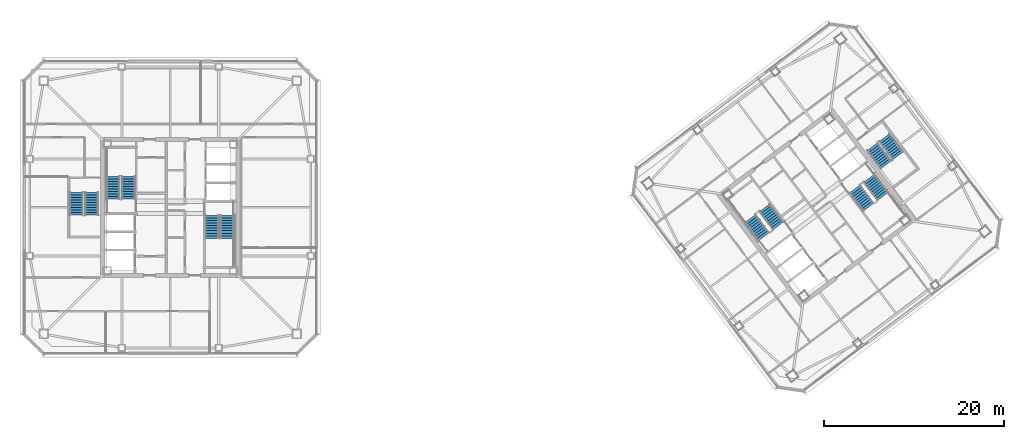
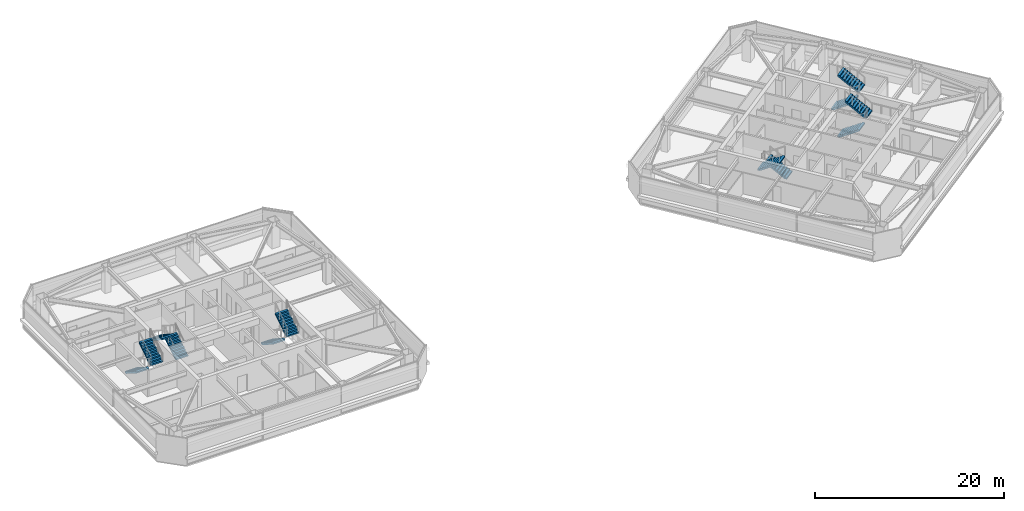
# One storey, part 33 of 39: 12 stair flights, 6 elements without a shape of their own.
"""IFC4 building model written with IfcOpenShell, lengths in metres."""

from ifc_helpers import new_model, si_unit, direction, frame, origin, place, context, subcontext, project, spatial, polyline, outline, extrude, material, type_object, element, aggregate, save


model = new_model("IFC4")

# Units and contexts
model_context = context("Model", 3, precision=1e-05, world=origin(), true_north=direction((0.0, 1.0)))
body_context = subcontext(model_context, "Body", "Model", "MODEL_VIEW")
ifc_project = project(units=[si_unit("LENGTHUNIT", "METRE"), si_unit("AREAUNIT", "SQUARE_METRE"), si_unit("VOLUMEUNIT", "CUBIC_METRE"), si_unit("PLANEANGLEUNIT", "RADIAN"), si_unit("MASSUNIT", "GRAM", prefix="KILO")], contexts=[model_context])

# Site, building, storey
site_placement = place(None, origin())
site = spatial("IfcSite", under=ifc_project, at=site_placement, CompositionType="ELEMENT")
building_placement = place(site_placement, origin())
building = spatial("IfcBuilding", under=site, at=building_placement, Name="Tashvorn Skyway Center", CompositionType="ELEMENT")
storey_placement = place(building_placement, frame((0.0, 0.0, 207.75)))
storey = spatial("IfcBuildingStorey", under=building, at=storey_placement, Name="L56", CompositionType="ELEMENT", Elevation=207.75)

# Stair, stair flights
ifc_material = material(Name="Concrete C40/50", Category="concrete")
stair_type = type_object("IfcStairType", Name="STAIR-CORE-1500", PredefinedType="HALF_TURN_STAIR", material=ifc_material)
stair_1_placement = place(storey_placement, origin())
stair_1 = element("IfcStair", 1, at=stair_1_placement, inside=storey, type_object=stair_type, Name="L56 Tower 1 Exit Stair 1", PredefinedType="HALF_TURN_STAIR")
stair_flight_type = type_object("IfcStairFlightType", Name="SFLIGHT-1500", PredefinedType="STRAIGHT", material=ifc_material)
stair_flight_1_placement = place(storey_placement, frame((37.35009765625, 32.919921875, 0.0), z_axis=(0.0, 0.0, 1.0), x_axis=(0.0, 1.0, 0.0)))
stair_flight_1 = element("IfcStairFlight", 2, at=stair_flight_1_placement, type_object=stair_flight_type, Name="ST-T1-1 flight 1", NumberOfRisers=10, NumberOfTreads=9, PredefinedType="STRAIGHT", RiserHeight=0.1775, TreadLength=0.28, context=body_context, shape_type="SweptSolid", body=[
    extrude(outline(polyline([(0.0, 0.0), (0.0, 0.177490234375), (0.280029296875, 0.177490234375), (0.280029296875, 0.35498046875), (0.56005859375, 0.35498046875), (0.56005859375, 0.532470703125), (0.840087890625, 0.532470703125), (0.840087890625, 0.7099609375), (1.1201171875, 0.7099609375), (1.1201171875, 0.887451171875), (1.39990234375, 0.887451171875), (1.39990234375, 1.06494140625), (1.679931640625, 1.06494140625), (1.679931640625, 1.242431640625), (1.9599609375, 1.242431640625), (1.9599609375, 1.419921875), (2.239990234375, 1.419921875), (2.239990234375, 1.597412109375), (2.52001953125, 1.597412109375), (2.52001953125, 1.77490234375), (2.52001953125, 1.419921875), (0.280029296875, 0.0), (0.0, 0.0)])), frame((0.0, 0.75, 0.0), z_axis=(0.0, -1.0, 0.0), x_axis=(1.0, 0.0, 0.0)), (0.0, 0.0, 1.0), 1.5),
])
stair_flight_2_placement = place(storey_placement, frame((35.64990234375, 35.43994140625, 1.77490234375), z_axis=(0.0, 0.0, 1.0), x_axis=(0.0, -1.0, 0.0)))
stair_flight_2 = element("IfcStairFlight", 3, at=stair_flight_2_placement, type_object=stair_flight_type, Name="ST-T1-1 flight 2", NumberOfRisers=10, NumberOfTreads=9, PredefinedType="STRAIGHT", RiserHeight=0.1775, TreadLength=0.28, context=body_context, shape_type="SweptSolid", body=[
    extrude(outline(polyline([(0.0, 0.0), (0.0, 0.177490234375), (0.280029296875, 0.177490234375), (0.280029296875, 0.35498046875), (0.56005859375, 0.35498046875), (0.56005859375, 0.532470703125), (0.840087890625, 0.532470703125), (0.840087890625, 0.7099609375), (1.1201171875, 0.7099609375), (1.1201171875, 0.887451171875), (1.39990234375, 0.887451171875), (1.39990234375, 1.06494140625), (1.679931640625, 1.06494140625), (1.679931640625, 1.242431640625), (1.9599609375, 1.242431640625), (1.9599609375, 1.419921875), (2.239990234375, 1.419921875), (2.239990234375, 1.597412109375), (2.52001953125, 1.597412109375), (2.52001953125, 1.77490234375), (2.52001953125, 1.419921875), (0.280029296875, 0.0), (0.0, 0.0)])), frame((0.0, 0.75, 0.0), z_axis=(0.0, -1.0, 0.0), x_axis=(1.0, 0.0, 0.0)), (0.0, 0.0, 1.0), 1.5),
])
aggregate(stair_1, [stair_flight_1, stair_flight_2])

stair_2_placement = place(storey_placement, origin())
stair_2 = element("IfcStair", 4, at=stair_2_placement, inside=storey, type_object=stair_type, Name="L56 Tower 1 Exit Stair 2", PredefinedType="HALF_TURN_STAIR")
stair_flight_3_placement = place(storey_placement, frame((46.64990234375, 31.080078125, 0.0), z_axis=(0.0, 0.0, 1.0), x_axis=(0.0, -1.0, 0.0)))
stair_flight_3 = element("IfcStairFlight", 5, at=stair_flight_3_placement, type_object=stair_flight_type, Name="ST-T1-2 flight 1", NumberOfRisers=10, NumberOfTreads=9, PredefinedType="STRAIGHT", RiserHeight=0.1775, TreadLength=0.28, context=body_context, shape_type="SweptSolid", body=[
    extrude(outline(polyline([(0.0, 0.0), (0.0, 0.177490234375), (0.280029296875, 0.177490234375), (0.280029296875, 0.35498046875), (0.56005859375, 0.35498046875), (0.56005859375, 0.532470703125), (0.840087890625, 0.532470703125), (0.840087890625, 0.7099609375), (1.1201171875, 0.7099609375), (1.1201171875, 0.887451171875), (1.39990234375, 0.887451171875), (1.39990234375, 1.06494140625), (1.679931640625, 1.06494140625), (1.679931640625, 1.242431640625), (1.9599609375, 1.242431640625), (1.9599609375, 1.419921875), (2.239990234375, 1.419921875), (2.239990234375, 1.597412109375), (2.52001953125, 1.597412109375), (2.52001953125, 1.77490234375), (2.52001953125, 1.419921875), (0.280029296875, 0.0), (0.0, 0.0)])), frame((0.0, 0.75, 0.0), z_axis=(0.0, -1.0, 0.0), x_axis=(1.0, 0.0, 0.0)), (0.0, 0.0, 1.0), 1.5),
])
stair_flight_4_placement = place(storey_placement, frame((48.35009765625, 28.56005859375, 1.77490234375), z_axis=(0.0, 0.0, 1.0), x_axis=(0.0, 1.0, 0.0)))
stair_flight_4 = element("IfcStairFlight", 6, at=stair_flight_4_placement, type_object=stair_flight_type, Name="ST-T1-2 flight 2", NumberOfRisers=10, NumberOfTreads=9, PredefinedType="STRAIGHT", RiserHeight=0.1775, TreadLength=0.28, context=body_context, shape_type="SweptSolid", body=[
    extrude(outline(polyline([(0.0, 0.0), (0.0, 0.177490234375), (0.280029296875, 0.177490234375), (0.280029296875, 0.35498046875), (0.56005859375, 0.35498046875), (0.56005859375, 0.532470703125), (0.840087890625, 0.532470703125), (0.840087890625, 0.7099609375), (1.1201171875, 0.7099609375), (1.1201171875, 0.887451171875), (1.39990234375, 0.887451171875), (1.39990234375, 1.06494140625), (1.679931640625, 1.06494140625), (1.679931640625, 1.242431640625), (1.9599609375, 1.242431640625), (1.9599609375, 1.419921875), (2.239990234375, 1.419921875), (2.239990234375, 1.597412109375), (2.52001953125, 1.597412109375), (2.52001953125, 1.77490234375), (2.52001953125, 1.419921875), (0.280029296875, 0.0), (0.0, 0.0)])), frame((0.0, 0.75, 0.0), z_axis=(0.0, -1.0, 0.0), x_axis=(1.0, 0.0, 0.0)), (0.0, 0.0, 1.0), 1.5),
])
aggregate(stair_2, [stair_flight_3, stair_flight_4])

stair_3_placement = place(storey_placement, origin())
stair_3 = element("IfcStair", 7, at=stair_3_placement, inside=storey, type_object=stair_type, Name="L56 Tower 2 Exit Stair 1", PredefinedType="HALF_TURN_STAIR")
stair_flight_5_placement = place(storey_placement, frame((109.72802734375, 29.946044921875, 0.0), z_axis=(0.0, 0.0, 1.0), x_axis=(-0.600000004945, 0.799999996291, 0.0)))
stair_flight_5 = element("IfcStairFlight", 8, at=stair_flight_5_placement, type_object=stair_flight_type, Name="ST-T2-1 flight 1", NumberOfRisers=10, NumberOfTreads=9, PredefinedType="STRAIGHT", RiserHeight=0.1775, TreadLength=0.28, context=body_context, shape_type="SweptSolid", body=[
    extrude(outline(polyline([(0.0, 0.0), (0.0, 0.177490234375), (0.280029296875, 0.177490234375), (0.280029296875, 0.35498046875), (0.56005859375, 0.35498046875), (0.56005859375, 0.532470703125), (0.840087890625, 0.532470703125), (0.840087890625, 0.7099609375), (1.1201171875, 0.7099609375), (1.1201171875, 0.887451171875), (1.39990234375, 0.887451171875), (1.39990234375, 1.06494140625), (1.679931640625, 1.06494140625), (1.679931640625, 1.242431640625), (1.9599609375, 1.242431640625), (1.9599609375, 1.419921875), (2.239990234375, 1.419921875), (2.239990234375, 1.597412109375), (2.52001953125, 1.597412109375), (2.52001953125, 1.77490234375), (2.52001953125, 1.419921875), (0.280029296875, 0.0), (0.0, 0.0)])), frame((0.0, 0.75, 0.0), z_axis=(0.0, -1.0, 0.0), x_axis=(1.0, 0.0, 0.0)), (0.0, 0.0, 1.0), 1.5),
])
stair_flight_6_placement = place(storey_placement, frame((106.632080078125, 30.77392578125, 1.77490234375), z_axis=(0.0, 0.0, 1.0), x_axis=(0.600000004945, -0.799999996291, 0.0)))
stair_flight_6 = element("IfcStairFlight", 9, at=stair_flight_6_placement, type_object=stair_flight_type, Name="ST-T2-1 flight 2", NumberOfRisers=10, NumberOfTreads=9, PredefinedType="STRAIGHT", RiserHeight=0.1775, TreadLength=0.28, context=body_context, shape_type="SweptSolid", body=[
    extrude(outline(polyline([(0.0, 0.0), (0.0, 0.177490234375), (0.280029296875, 0.177490234375), (0.280029296875, 0.35498046875), (0.56005859375, 0.35498046875), (0.56005859375, 0.532470703125), (0.840087890625, 0.532470703125), (0.840087890625, 0.7099609375), (1.1201171875, 0.7099609375), (1.1201171875, 0.887451171875), (1.39990234375, 0.887451171875), (1.39990234375, 1.06494140625), (1.679931640625, 1.06494140625), (1.679931640625, 1.242431640625), (1.9599609375, 1.242431640625), (1.9599609375, 1.419921875), (2.239990234375, 1.419921875), (2.239990234375, 1.597412109375), (2.52001953125, 1.597412109375), (2.52001953125, 1.77490234375), (2.52001953125, 1.419921875), (0.280029296875, 0.0), (0.0, 0.0)])), frame((0.0, 0.75, 0.0), z_axis=(0.0, -1.0, 0.0), x_axis=(1.0, 0.0, 0.0)), (0.0, 0.0, 1.0), 1.5),
])
aggregate(stair_3, [stair_flight_5, stair_flight_6])

stair_4_placement = place(storey_placement, origin())
stair_4 = element("IfcStair", 10, at=stair_4_placement, inside=storey, type_object=stair_type, Name="L56 Tower 2 Exit Stair 2", PredefinedType="HALF_TURN_STAIR")
stair_flight_7_placement = place(storey_placement, frame((118.27197265625, 34.053955078125, 0.0), z_axis=(0.0, 0.0, 1.0), x_axis=(0.600000004945, -0.799999996291, 0.0)))
stair_flight_7 = element("IfcStairFlight", 11, at=stair_flight_7_placement, type_object=stair_flight_type, Name="ST-T2-2 flight 1", NumberOfRisers=10, NumberOfTreads=9, PredefinedType="STRAIGHT", RiserHeight=0.1775, TreadLength=0.28, context=body_context, shape_type="SweptSolid", body=[
    extrude(outline(polyline([(0.0, 0.0), (0.0, 0.177490234375), (0.280029296875, 0.177490234375), (0.280029296875, 0.35498046875), (0.56005859375, 0.35498046875), (0.56005859375, 0.532470703125), (0.840087890625, 0.532470703125), (0.840087890625, 0.7099609375), (1.1201171875, 0.7099609375), (1.1201171875, 0.887451171875), (1.39990234375, 0.887451171875), (1.39990234375, 1.06494140625), (1.679931640625, 1.06494140625), (1.679931640625, 1.242431640625), (1.9599609375, 1.242431640625), (1.9599609375, 1.419921875), (2.239990234375, 1.419921875), (2.239990234375, 1.597412109375), (2.52001953125, 1.597412109375), (2.52001953125, 1.77490234375), (2.52001953125, 1.419921875), (0.280029296875, 0.0), (0.0, 0.0)])), frame((0.0, 0.75, 0.0), z_axis=(0.0, -1.0, 0.0), x_axis=(1.0, 0.0, 0.0)), (0.0, 0.0, 1.0), 1.5),
])
stair_flight_8_placement = place(storey_placement, frame((121.367919921875, 33.22607421875, 1.77490234375), z_axis=(0.0, 0.0, 1.0), x_axis=(-0.600000004945, 0.799999996291, 0.0)))
stair_flight_8 = element("IfcStairFlight", 12, at=stair_flight_8_placement, type_object=stair_flight_type, Name="ST-T2-2 flight 2", NumberOfRisers=10, NumberOfTreads=9, PredefinedType="STRAIGHT", RiserHeight=0.1775, TreadLength=0.28, context=body_context, shape_type="SweptSolid", body=[
    extrude(outline(polyline([(0.0, 0.0), (0.0, 0.177490234375), (0.280029296875, 0.177490234375), (0.280029296875, 0.35498046875), (0.56005859375, 0.35498046875), (0.56005859375, 0.532470703125), (0.840087890625, 0.532470703125), (0.840087890625, 0.7099609375), (1.1201171875, 0.7099609375), (1.1201171875, 0.887451171875), (1.39990234375, 0.887451171875), (1.39990234375, 1.06494140625), (1.679931640625, 1.06494140625), (1.679931640625, 1.242431640625), (1.9599609375, 1.242431640625), (1.9599609375, 1.419921875), (2.239990234375, 1.419921875), (2.239990234375, 1.597412109375), (2.52001953125, 1.597412109375), (2.52001953125, 1.77490234375), (2.52001953125, 1.419921875), (0.280029296875, 0.0), (0.0, 0.0)])), frame((0.0, 0.75, 0.0), z_axis=(0.0, -1.0, 0.0), x_axis=(1.0, 0.0, 0.0)), (0.0, 0.0, 1.0), 1.5),
])
aggregate(stair_4, [stair_flight_7, stair_flight_8])

stair_5_placement = place(storey_placement, origin())
stair_5 = element("IfcStair", 13, at=stair_5_placement, inside=storey, type_object=stair_type, Name="L56 Tower 1 Exit Stair 3", PredefinedType="HALF_TURN_STAIR")
stair_flight_9_placement = place(storey_placement, frame((31.550048828125, 33.679931640625, 0.0), z_axis=(0.0, 0.0, 1.0), x_axis=(0.0, -1.0, 0.0)))
stair_flight_9 = element("IfcStairFlight", 14, at=stair_flight_9_placement, type_object=stair_flight_type, Name="ST-T1-3 flight 1", NumberOfRisers=10, NumberOfTreads=9, PredefinedType="STRAIGHT", RiserHeight=0.1775, TreadLength=0.28, context=body_context, shape_type="SweptSolid", body=[
    extrude(outline(polyline([(0.0, 0.0), (0.0, 0.177490234375), (0.280029296875, 0.177490234375), (0.280029296875, 0.35498046875), (0.56005859375, 0.35498046875), (0.56005859375, 0.532470703125), (0.840087890625, 0.532470703125), (0.840087890625, 0.7099609375), (1.1201171875, 0.7099609375), (1.1201171875, 0.887451171875), (1.39990234375, 0.887451171875), (1.39990234375, 1.06494140625), (1.679931640625, 1.06494140625), (1.679931640625, 1.242431640625), (1.9599609375, 1.242431640625), (1.9599609375, 1.419921875), (2.239990234375, 1.419921875), (2.239990234375, 1.597412109375), (2.52001953125, 1.597412109375), (2.52001953125, 1.77490234375), (2.52001953125, 1.419921875), (0.280029296875, 0.0), (0.0, 0.0)])), frame((0.0, 0.75, 0.0), z_axis=(0.0, -1.0, 0.0), x_axis=(1.0, 0.0, 0.0)), (0.0, 0.0, 1.0), 1.5),
])
stair_flight_10_placement = place(storey_placement, frame((33.25, 31.159912109375, 1.77490234375), z_axis=(0.0, 0.0, 1.0), x_axis=(0.0, 1.0, 0.0)))
stair_flight_10 = element("IfcStairFlight", 15, at=stair_flight_10_placement, type_object=stair_flight_type, Name="ST-T1-3 flight 2", NumberOfRisers=10, NumberOfTreads=9, PredefinedType="STRAIGHT", RiserHeight=0.1775, TreadLength=0.28, context=body_context, shape_type="SweptSolid", body=[
    extrude(outline(polyline([(0.0, 0.0), (0.0, 0.177490234375), (0.280029296875, 0.177490234375), (0.280029296875, 0.35498046875), (0.56005859375, 0.35498046875), (0.56005859375, 0.532470703125), (0.840087890625, 0.532470703125), (0.840087890625, 0.7099609375), (1.1201171875, 0.7099609375), (1.1201171875, 0.887451171875), (1.39990234375, 0.887451171875), (1.39990234375, 1.06494140625), (1.679931640625, 1.06494140625), (1.679931640625, 1.242431640625), (1.9599609375, 1.242431640625), (1.9599609375, 1.419921875), (2.239990234375, 1.419921875), (2.239990234375, 1.597412109375), (2.52001953125, 1.597412109375), (2.52001953125, 1.77490234375), (2.52001953125, 1.419921875), (0.280029296875, 0.0), (0.0, 0.0)])), frame((0.0, 0.75, 0.0), z_axis=(0.0, -1.0, 0.0), x_axis=(1.0, 0.0, 0.0)), (0.0, 0.0, 1.0), 1.5),
])
aggregate(stair_5, [stair_flight_9, stair_flight_10])

stair_6_placement = place(storey_placement, origin())
stair_6 = element("IfcStair", 16, at=stair_6_placement, inside=storey, type_object=stair_type, Name="L56 Tower 2 Exit Stair 3", PredefinedType="HALF_TURN_STAIR")
stair_flight_11_placement = place(storey_placement, frame((120.216064453125, 38.761962890625, 0.0), z_axis=(0.0, 0.0, 1.0), x_axis=(0.600000004945, -0.799999996291, 0.0)))
stair_flight_11 = element("IfcStairFlight", 17, at=stair_flight_11_placement, type_object=stair_flight_type, Name="ST-T2-3 flight 1", NumberOfRisers=10, NumberOfTreads=9, PredefinedType="STRAIGHT", RiserHeight=0.1775, TreadLength=0.28, context=body_context, shape_type="SweptSolid", body=[
    extrude(outline(polyline([(0.0, 0.0), (0.0, 0.177490234375), (0.280029296875, 0.177490234375), (0.280029296875, 0.35498046875), (0.56005859375, 0.35498046875), (0.56005859375, 0.532470703125), (0.840087890625, 0.532470703125), (0.840087890625, 0.7099609375), (1.1201171875, 0.7099609375), (1.1201171875, 0.887451171875), (1.39990234375, 0.887451171875), (1.39990234375, 1.06494140625), (1.679931640625, 1.06494140625), (1.679931640625, 1.242431640625), (1.9599609375, 1.242431640625), (1.9599609375, 1.419921875), (2.239990234375, 1.419921875), (2.239990234375, 1.597412109375), (2.52001953125, 1.597412109375), (2.52001953125, 1.77490234375), (2.52001953125, 1.419921875), (0.280029296875, 0.0), (0.0, 0.0)])), frame((0.0, 0.75, 0.0), z_axis=(0.0, -1.0, 0.0), x_axis=(1.0, 0.0, 0.0)), (0.0, 0.0, 1.0), 1.5),
])
stair_flight_12_placement = place(storey_placement, frame((123.087890625, 37.76611328125, 1.77490234375), z_axis=(0.0, 0.0, 1.0), x_axis=(-0.600000004945, 0.799999996291, 0.0)))
stair_flight_12 = element("IfcStairFlight", 18, at=stair_flight_12_placement, type_object=stair_flight_type, Name="ST-T2-3 flight 2", NumberOfRisers=10, NumberOfTreads=9, PredefinedType="STRAIGHT", RiserHeight=0.1775, TreadLength=0.28, context=body_context, shape_type="SweptSolid", body=[
    extrude(outline(polyline([(0.0, 0.0), (0.0, 0.177490234375), (0.280029296875, 0.177490234375), (0.280029296875, 0.35498046875), (0.56005859375, 0.35498046875), (0.56005859375, 0.532470703125), (0.840087890625, 0.532470703125), (0.840087890625, 0.7099609375), (1.1201171875, 0.7099609375), (1.1201171875, 0.887451171875), (1.39990234375, 0.887451171875), (1.39990234375, 1.06494140625), (1.679931640625, 1.06494140625), (1.679931640625, 1.242431640625), (1.9599609375, 1.242431640625), (1.9599609375, 1.419921875), (2.239990234375, 1.419921875), (2.239990234375, 1.597412109375), (2.52001953125, 1.597412109375), (2.52001953125, 1.77490234375), (2.52001953125, 1.419921875), (0.280029296875, 0.0), (0.0, 0.0)])), frame((0.0, 0.75, 0.0), z_axis=(0.0, -1.0, 0.0), x_axis=(1.0, 0.0, 0.0)), (0.0, 0.0, 1.0), 1.5),
])
aggregate(stair_6, [stair_flight_11, stair_flight_12])

save(model, "model.ifc")
